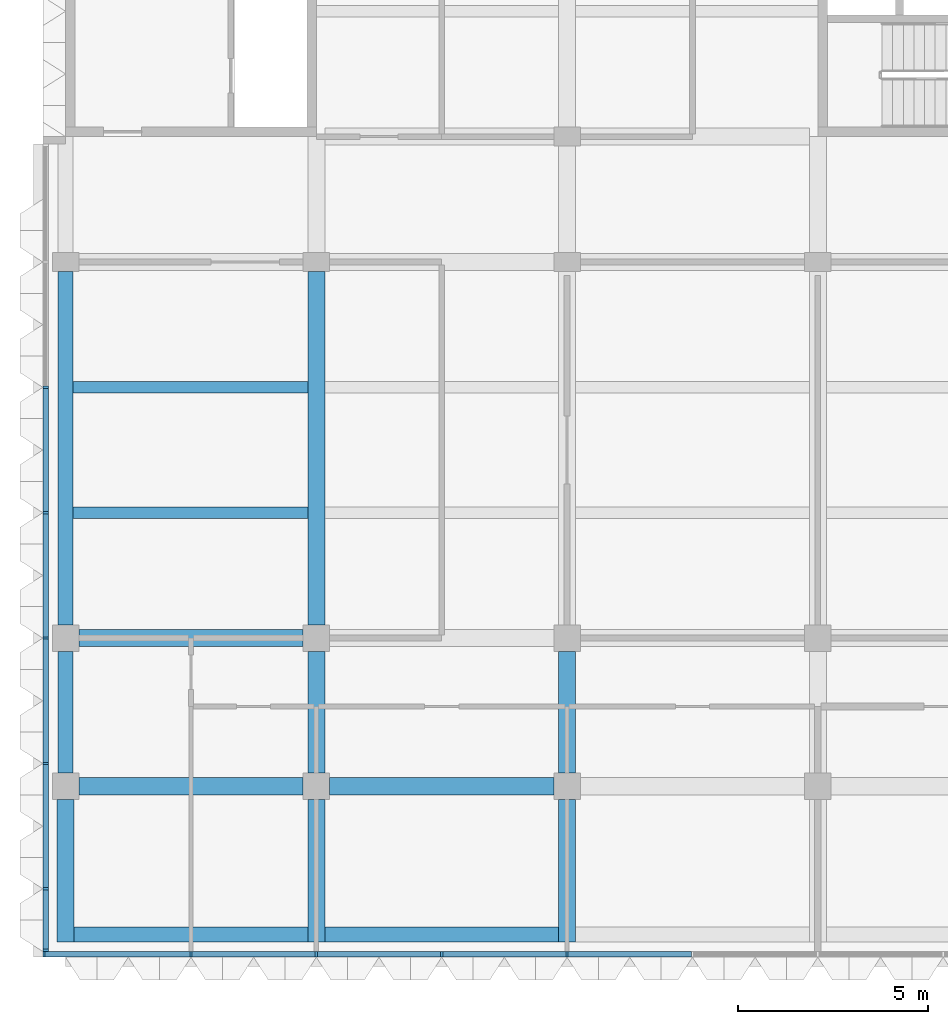
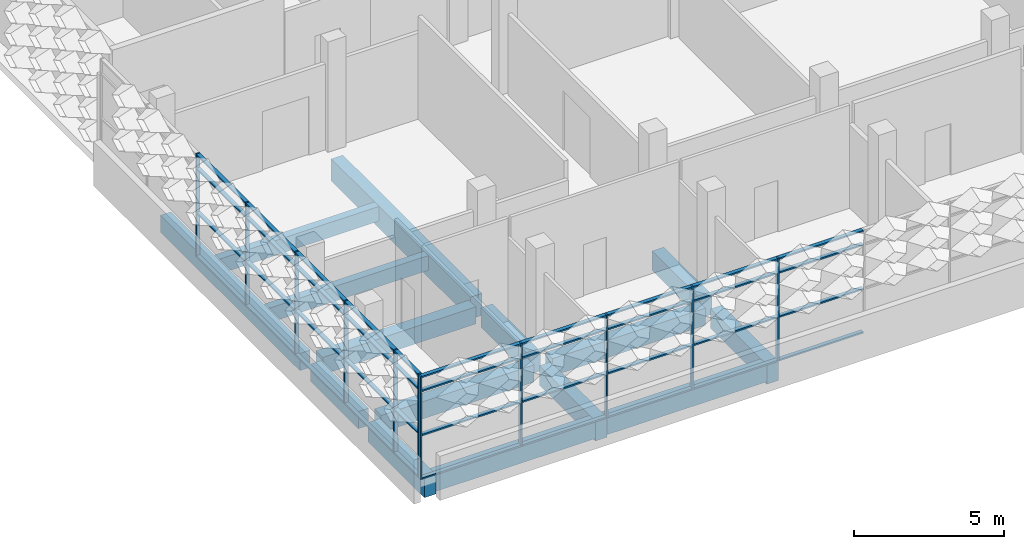
# One storey, part 2 of 85: 51 members, 15 beams, 2 elements without a shape of their own.
"""IFC4 building model written with IfcOpenShell, lengths in metres."""

from ifc_helpers import new_model, si_unit, direction, frame, origin, origin_2d, place, context, subcontext, project, spatial, rectangle, extrude, material, material_profile, profile_set, type_object, element, aggregate, save


model = new_model("IFC4")

# Units and contexts
model_context = context("Model", 3, precision=1e-05, world=origin(), true_north=direction((0.0, 1.0)))
body_context = subcontext(model_context, "Body", "Model", "MODEL_VIEW")
ifc_project = project(units=[si_unit("LENGTHUNIT", "METRE"), si_unit("AREAUNIT", "SQUARE_METRE"), si_unit("VOLUMEUNIT", "CUBIC_METRE"), si_unit("PLANEANGLEUNIT", "RADIAN"), si_unit("MASSUNIT", "GRAM", prefix="KILO")], contexts=[model_context])

# Site, building, storey
site_placement = place(None, origin())
site = spatial("IfcSite", under=ifc_project, at=site_placement, CompositionType="ELEMENT")
building_placement = place(site_placement, origin())
building = spatial("IfcBuilding", under=site, at=building_placement, Name="Lantern Court Research Institute", CompositionType="ELEMENT")
storey_placement = place(building_placement, frame((0.0, 0.0, 18.89990234375)))
storey = spatial("IfcBuildingStorey", under=building, at=storey_placement, Name="L04", CompositionType="ELEMENT", Elevation=18.89990234375)

# Curtain wall, members
ifc_material_1 = material(Name="Aluminium alloy 6063-T6", Category="aluminium")
curtain_wall_type_1 = type_object("IfcCurtainWallType", Name="Curtain wall 53400 x 4200 x 150 aluminium frame", PredefinedType="NOTDEFINED", material=ifc_material_1)
curtain_wall_1_placement = place(storey_placement, origin())
curtain_wall_1 = element("IfcCurtainWall", 1, at=curtain_wall_1_placement, inside=storey, type_object=curtain_wall_type_1, Name="Curtain wall CW063", PredefinedType="NOTDEFINED")
ifc_material_2 = material(Name="Aluminium alloy 6063-T6", Category="aluminium")
ifc_material_profile_1 = material_profile(ifc_material_2, rectangle(XDim=0.14990234375, YDim=0.06005859375, at=origin_2d()), Name="Mullion 150 x 60")
ifc_profile_set_1 = profile_set([ifc_material_profile_1], Name="Aluminium alloy 6063-T6")
member_type_1 = type_object("IfcMemberType", Name="Mullion 150 x 60 aluminium", PredefinedType="MULLION", material=ifc_profile_set_1)
member_1_placement = place(storey_placement, frame((-0.570068359375, -8.324951171875, 0.0), z_axis=(0.0, 0.0, 1.0), x_axis=(0.0, -1.0, 0.0)))
member_1 = element("IfcMember", 2, at=member_1_placement, type_object=member_type_1, Name="CW063 mullion 1", PredefinedType="MULLION", context=body_context, shape_type="SweptSolid", body=[
    extrude(rectangle(XDim=0.14990234375, YDim=0.06005859375, at=origin_2d()), origin(), (0.0, 0.0, 1.0), 4.2001953125),
])
member_2_placement = place(storey_placement, frame((3.300048828125, -8.324951171875, 0.0), z_axis=(0.0, 0.0, 1.0), x_axis=(0.0, -1.0, 0.0)))
member_2 = element("IfcMember", 3, at=member_2_placement, type_object=member_type_1, Name="CW063 mullion 2", PredefinedType="MULLION", context=body_context, shape_type="SweptSolid", body=[
    extrude(rectangle(XDim=0.14990234375, YDim=0.06005859375, at=origin_2d()), origin(), (0.0, 0.0, 1.0), 4.2001953125),
])
member_3_placement = place(storey_placement, frame((6.60009765625, -8.324951171875, 0.0), z_axis=(0.0, 0.0, 1.0), x_axis=(0.0, -1.0, 0.0)))
member_3 = element("IfcMember", 4, at=member_3_placement, type_object=member_type_1, Name="CW063 mullion 3", PredefinedType="MULLION", context=body_context, shape_type="SweptSolid", body=[
    extrude(rectangle(XDim=0.14990234375, YDim=0.06005859375, at=origin_2d()), origin(), (0.0, 0.0, 1.0), 4.2001953125),
])
member_4_placement = place(storey_placement, frame((9.89990234375, -8.324951171875, 0.0), z_axis=(0.0, 0.0, 1.0), x_axis=(0.0, -1.0, 0.0)))
member_4 = element("IfcMember", 5, at=member_4_placement, type_object=member_type_1, Name="CW063 mullion 4", PredefinedType="MULLION", context=body_context, shape_type="SweptSolid", body=[
    extrude(rectangle(XDim=0.14990234375, YDim=0.06005859375, at=origin_2d()), origin(), (0.0, 0.0, 1.0), 4.2001953125),
])
member_5_placement = place(storey_placement, frame((13.199951171875, -8.324951171875, 0.0), z_axis=(0.0, 0.0, 1.0), x_axis=(0.0, -1.0, 0.0)))
member_5 = element("IfcMember", 6, at=member_5_placement, type_object=member_type_1, Name="CW063 mullion 5", PredefinedType="MULLION", context=body_context, shape_type="SweptSolid", body=[
    extrude(rectangle(XDim=0.14990234375, YDim=0.06005859375, at=origin_2d()), origin(), (0.0, 0.0, 1.0), 4.2001953125),
])

ifc_material_3 = material(Name="Aluminium alloy 6063-T6", Category="aluminium")
curtain_wall_type_2 = type_object("IfcCurtainWallType", Name="Curtain wall 21250 x 4200 x 150 aluminium frame", PredefinedType="NOTDEFINED", material=ifc_material_3)
curtain_wall_2_placement = place(storey_placement, origin())
curtain_wall_2 = element("IfcCurtainWall", 7, at=curtain_wall_2_placement, inside=storey, type_object=curtain_wall_type_2, Name="Curtain wall CW064", PredefinedType="NOTDEFINED")
member_6_placement = place(storey_placement, frame((-0.52490234375, -8.219970703125, 0.0), z_axis=(0.0, 0.0, 1.0), x_axis=(-1.0, 0.0, 0.0)))
member_6 = element("IfcMember", 8, at=member_6_placement, type_object=member_type_1, Name="CW064 mullion 1", PredefinedType="MULLION", context=body_context, shape_type="SweptSolid", body=[
    extrude(rectangle(XDim=0.14990234375, YDim=0.06005859375, at=origin_2d()), origin(), (0.0, 0.0, 1.0), 4.2001953125),
])
member_7_placement = place(storey_placement, frame((-0.52490234375, -6.60009765625, 0.0), z_axis=(0.0, 0.0, 1.0), x_axis=(-1.0, 0.0, 0.0)))
member_7 = element("IfcMember", 9, at=member_7_placement, type_object=member_type_1, Name="CW064 mullion 2", PredefinedType="MULLION", context=body_context, shape_type="SweptSolid", body=[
    extrude(rectangle(XDim=0.14990234375, YDim=0.06005859375, at=origin_2d()), origin(), (0.0, 0.0, 1.0), 4.2001953125),
])
member_8_placement = place(storey_placement, frame((-0.52490234375, -3.300048828125, 0.0), z_axis=(0.0, 0.0, 1.0), x_axis=(-1.0, 0.0, 0.0)))
member_8 = element("IfcMember", 10, at=member_8_placement, type_object=member_type_1, Name="CW064 mullion 3", PredefinedType="MULLION", context=body_context, shape_type="SweptSolid", body=[
    extrude(rectangle(XDim=0.14990234375, YDim=0.06005859375, at=origin_2d()), origin(), (0.0, 0.0, 1.0), 4.2001953125),
])
member_9_placement = place(storey_placement, frame((-0.52490234375, 0.0, 0.0), z_axis=(0.0, 0.0, 1.0), x_axis=(-1.0, 0.0, 0.0)))
member_9 = element("IfcMember", 11, at=member_9_placement, type_object=member_type_1, Name="CW064 mullion 4", PredefinedType="MULLION", context=body_context, shape_type="SweptSolid", body=[
    extrude(rectangle(XDim=0.14990234375, YDim=0.06005859375, at=origin_2d()), origin(), (0.0, 0.0, 1.0), 4.2001953125),
])
member_10_placement = place(storey_placement, frame((-0.52490234375, 3.300048828125, 0.0), z_axis=(0.0, 0.0, 1.0), x_axis=(-1.0, 0.0, 0.0)))
member_10 = element("IfcMember", 12, at=member_10_placement, type_object=member_type_1, Name="CW064 mullion 5", PredefinedType="MULLION", context=body_context, shape_type="SweptSolid", body=[
    extrude(rectangle(XDim=0.14990234375, YDim=0.06005859375, at=origin_2d()), origin(), (0.0, 0.0, 1.0), 4.2001953125),
])
member_11_placement = place(storey_placement, frame((-0.52490234375, 6.60009765625, 0.0), z_axis=(0.0, 0.0, 1.0), x_axis=(-1.0, 0.0, 0.0)))
member_11 = element("IfcMember", 13, at=member_11_placement, type_object=member_type_1, Name="CW064 mullion 6", PredefinedType="MULLION", context=body_context, shape_type="SweptSolid", body=[
    extrude(rectangle(XDim=0.14990234375, YDim=0.06005859375, at=origin_2d()), origin(), (0.0, 0.0, 1.0), 4.2001953125),
])

# Beams
ifc_material_4 = material(Name="Concrete C40/50", Category="concrete")
ifc_material_profile_2 = material_profile(ifc_material_4, rectangle(XDim=0.449951171875, YDim=0.699951171875, at=origin_2d()), Name="RC beam 450 x 700")
ifc_profile_set_2 = profile_set([ifc_material_profile_2], Name="Concrete C40/50")
beam_type_1 = type_object("IfcBeamType", Name="RC beam 450 x 700", PredefinedType="BEAM", material=ifc_profile_set_2)
beam_1_placement = place(storey_placement, frame((0.35009765625, -3.89990234375, -0.64990234375), z_axis=(1.0, 0.0, 0.0), x_axis=(0.0, 1.0, 0.0)))
element("IfcBeam", 14, at=beam_1_placement, inside=storey, type_object=beam_type_1, Name="Beam L04 grid Y/1-2", PredefinedType="BEAM", context=body_context, shape_type="SweptSolid", body=[
    extrude(rectangle(XDim=0.449951171875, YDim=0.699951171875, at=origin_2d()), origin(), (0.0, 0.0, 1.0), 5.89990234375),
])
beam_2_placement = place(storey_placement, frame((6.949951171875, -3.89990234375, -0.64990234375), z_axis=(1.0, 0.0, 0.0), x_axis=(0.0, 1.0, 0.0)))
element("IfcBeam", 15, at=beam_2_placement, inside=storey, type_object=beam_type_1, Name="Beam L04 grid Y/2-3", PredefinedType="BEAM", context=body_context, shape_type="SweptSolid", body=[
    extrude(rectangle(XDim=0.449951171875, YDim=0.699951171875, at=origin_2d()), origin(), (0.0, 0.0, 1.0), 5.900146484375),
])
beam_3_placement = place(storey_placement, frame((0.35009765625, 0.0, -0.64990234375), z_axis=(1.0, 0.0, 0.0), x_axis=(0.0, 1.0, 0.0)))
element("IfcBeam", 16, at=beam_3_placement, inside=storey, type_object=beam_type_1, Name="Beam L04 grid A/1-2", PredefinedType="BEAM", context=body_context, shape_type="SweptSolid", body=[
    extrude(rectangle(XDim=0.449951171875, YDim=0.699951171875, at=origin_2d()), origin(), (0.0, 0.0, 1.0), 5.89990234375),
])
ifc_material_5 = material(Name="Concrete C40/50", Category="concrete")
ifc_material_profile_3 = material_profile(ifc_material_5, rectangle(XDim=0.449951171875, YDim=0.800048828125, at=origin_2d()), Name="RC beam 450 x 800")
ifc_profile_set_3 = profile_set([ifc_material_profile_3], Name="Concrete C40/50")
beam_type_2 = type_object("IfcBeamType", Name="RC cantilever beam 450 x 800", PredefinedType="BEAM", material=ifc_profile_set_3)
for number, where, z_axis, x_axis, name in (
    (17, (0.0, -4.25, -0.699951171875), (0.0, -1.0, 0.0), (1.0, 0.0, 0.0), "Cantilever beam L04 grid 1/Y-tip"),
    (18, (6.60009765625, -4.25, -0.699951171875), (0.0, -1.0, 0.0), (1.0, 0.0, 0.0), "Cantilever beam L04 grid 2/Y-tip"),
    (19, (13.199951171875, -4.25, -0.699951171875), (0.0, -1.0, 0.0), (1.0, 0.0, 0.0), "Cantilever beam L04 grid 3/Y-tip"),
):
    element("IfcBeam", number, at=place(storey_placement, frame(where, z_axis=z_axis, x_axis=x_axis)), inside=storey, type_object=beam_type_2, Name=name, PredefinedType="BEAM", context=body_context, shape_type="SweptSolid", body=[
        extrude(rectangle(XDim=0.449951171875, YDim=0.800048828125, at=origin_2d()), origin(), (0.0, 0.0, 1.0), 3.75),
    ])
ifc_material_6 = material(Name="Concrete C40/50", Category="concrete")
ifc_material_profile_4 = material_profile(ifc_material_6, rectangle(XDim=0.39990234375, YDim=0.699951171875, at=origin_2d()), Name="RC beam 400 x 700")
ifc_profile_set_4 = profile_set([ifc_material_profile_4], Name="Concrete C40/50")
beam_type_3 = type_object("IfcBeamType", Name="RC edge beam 400 x 700", PredefinedType="BEAM", material=ifc_profile_set_4)
beam_4_placement = place(storey_placement, frame((0.0, -3.550048828125, -0.64990234375), z_axis=(0.0, 1.0, 0.0), x_axis=(-1.0, 0.0, 0.0)))
element("IfcBeam", 20, at=beam_4_placement, inside=storey, type_object=beam_type_3, Name="Edge beam L04 grid 1/Y-A", PredefinedType="BEAM", context=body_context, shape_type="SweptSolid", body=[
    extrude(rectangle(XDim=0.39990234375, YDim=0.699951171875, at=origin_2d()), origin(), (0.0, 0.0, 1.0), 3.199951171875),
])
beam_5_placement = place(storey_placement, frame((0.0, 0.35009765625, -0.64990234375), z_axis=(0.0, 1.0, 0.0), x_axis=(-1.0, 0.0, 0.0)))
element("IfcBeam", 21, at=beam_5_placement, inside=storey, type_object=beam_type_3, Name="Edge beam L04 grid 1/A-B", PredefinedType="BEAM", context=body_context, shape_type="SweptSolid", body=[
    extrude(rectangle(XDim=0.39990234375, YDim=0.699951171875, at=origin_2d()), origin(), (0.0, 0.0, 1.0), 9.2998046875),
])
beam_6_placement = place(storey_placement, frame((0.22509765625, -7.800048828125, -0.64990234375), z_axis=(1.0, 0.0, 0.0), x_axis=(0.0, 1.0, 0.0)))
element("IfcBeam", 22, at=beam_6_placement, inside=storey, type_object=beam_type_3, Name="Edge beam L04 grid tip/1-2", PredefinedType="BEAM", context=body_context, shape_type="SweptSolid", body=[
    extrude(rectangle(XDim=0.39990234375, YDim=0.699951171875, at=origin_2d()), origin(), (0.0, 0.0, 1.0), 6.14990234375),
])
beam_7_placement = place(storey_placement, frame((6.824951171875, -7.800048828125, -0.64990234375), z_axis=(1.0, 0.0, 0.0), x_axis=(0.0, 1.0, 0.0)))
element("IfcBeam", 23, at=beam_7_placement, inside=storey, type_object=beam_type_3, Name="Edge beam L04 grid tip/2-3", PredefinedType="BEAM", context=body_context, shape_type="SweptSolid", body=[
    extrude(rectangle(XDim=0.39990234375, YDim=0.699951171875, at=origin_2d()), origin(), (0.0, 0.0, 1.0), 6.150146484375),
])
ifc_material_7 = material(Name="Concrete C40/50", Category="concrete")
ifc_material_profile_5 = material_profile(ifc_material_7, rectangle(XDim=0.449951171875, YDim=0.800048828125, at=origin_2d()), Name="RC beam 450 x 800")
ifc_profile_set_5 = profile_set([ifc_material_profile_5], Name="Concrete C40/50")
beam_type_4 = type_object("IfcBeamType", Name="RC girder 450 x 800", PredefinedType="BEAM", material=ifc_profile_set_5)
for number, where, z_axis, x_axis, name in (
    (24, (6.60009765625, -3.550048828125, -0.699951171875), (0.0, 1.0, 0.0), (-1.0, 0.0, 0.0), "Girder L04 grid 2/Y-A"),
    (25, (13.199951171875, -3.550048828125, -0.699951171875), (0.0, 1.0, 0.0), (-1.0, 0.0, 0.0), "Girder L04 grid 3/Y-A"),
):
    element("IfcBeam", number, at=place(storey_placement, frame(where, z_axis=z_axis, x_axis=x_axis)), inside=storey, type_object=beam_type_4, Name=name, PredefinedType="BEAM", context=body_context, shape_type="SweptSolid", body=[
        extrude(rectangle(XDim=0.449951171875, YDim=0.800048828125, at=origin_2d()), origin(), (0.0, 0.0, 1.0), 3.199951171875),
    ])
ifc_material_8 = material(Name="Concrete C40/50", Category="concrete")
ifc_material_profile_6 = material_profile(ifc_material_8, rectangle(XDim=0.449951171875, YDim=0.89990234375, at=origin_2d()), Name="RC beam 450 x 900")
ifc_profile_set_6 = profile_set([ifc_material_profile_6], Name="Concrete C40/50")
beam_type_5 = type_object("IfcBeamType", Name="RC girder 450 x 900", PredefinedType="BEAM", material=ifc_profile_set_6)
beam_8_placement = place(storey_placement, frame((6.60009765625, 0.35009765625, -0.75), z_axis=(0.0, 1.0, 0.0), x_axis=(-1.0, 0.0, 0.0)))
element("IfcBeam", 26, at=beam_8_placement, inside=storey, type_object=beam_type_5, Name="Girder L04 grid 2/A-B", PredefinedType="BEAM", context=body_context, shape_type="SweptSolid", body=[
    extrude(rectangle(XDim=0.449951171875, YDim=0.89990234375, at=origin_2d()), origin(), (0.0, 0.0, 1.0), 9.2998046875),
])
ifc_material_9 = material(Name="Concrete C40/50", Category="concrete")
ifc_material_profile_7 = material_profile(ifc_material_9, rectangle(XDim=0.300048828125, YDim=0.60009765625, at=origin_2d()), Name="RC beam 300 x 600")
ifc_profile_set_7 = profile_set([ifc_material_profile_7], Name="Concrete C40/50")
beam_type_6 = type_object("IfcBeamType", Name="RC secondary beam 300 x 600", PredefinedType="BEAM", material=ifc_profile_set_7)
for number, where, z_axis, x_axis, name in (
    (27, (0.199951171875, 3.300048828125, -0.599853515625), (1.0, 0.0, 0.0), (0.0, 1.0, 0.0), "Secondary beam L04 grids 1-2 / A-B, line 1"),
    (28, (0.199951171875, 6.60009765625, -0.599853515625), (1.0, 0.0, 0.0), (0.0, 1.0, 0.0), "Secondary beam L04 grids 1-2 / A-B, line 2"),
):
    element("IfcBeam", number, at=place(storey_placement, frame(where, z_axis=z_axis, x_axis=x_axis)), inside=storey, type_object=beam_type_6, Name=name, PredefinedType="BEAM", context=body_context, shape_type="SweptSolid", body=[
        extrude(rectangle(XDim=0.300048828125, YDim=0.60009765625, at=origin_2d()), origin(), (0.0, 0.0, 1.0), 6.175048828125),
    ])

# Member
ifc_material_10 = material(Name="Aluminium alloy 6063-T6", Category="aluminium")
ifc_material_profile_8 = material_profile(ifc_material_10, rectangle(XDim=0.14990234375, YDim=0.06005859375, at=origin_2d()), Name="Transom 150 x 60")
ifc_profile_set_8 = profile_set([ifc_material_profile_8], Name="Aluminium alloy 6063-T6")
member_type_2 = type_object("IfcMemberType", Name="Transom 150 x 60 aluminium", PredefinedType="USERDEFINED", material=ifc_profile_set_8)
member_12_placement = place(storey_placement, frame((3.27001953125, -8.324951171875, 0.030029296875), z_axis=(-1.0, 0.0, 0.0), x_axis=(0.0, -1.0, 0.0)))
member_12 = element("IfcMember", 29, at=member_12_placement, type_object=member_type_2, Name="CW063 transom 1.1", ObjectType="TRANSOM", PredefinedType="USERDEFINED", context=body_context, shape_type="SweptSolid", body=[
    extrude(rectangle(XDim=0.14990234375, YDim=0.06005859375, at=origin_2d()), origin(), (0.0, 0.0, 1.0), 3.81005859375),
])

member_13_placement = place(storey_placement, frame((3.27001953125, -8.324951171875, 1.800048828125), z_axis=(-1.0, 0.0, 0.0), x_axis=(0.0, -1.0, 0.0)))
member_13 = element("IfcMember", 30, at=member_13_placement, type_object=member_type_2, Name="CW063 transom 1.2", ObjectType="TRANSOM", PredefinedType="USERDEFINED", context=body_context, shape_type="SweptSolid", body=[
    extrude(rectangle(XDim=0.14990234375, YDim=0.06005859375, at=origin_2d()), origin(), (0.0, 0.0, 1.0), 3.81005859375),
])

member_14_placement = place(storey_placement, frame((3.27001953125, -8.324951171875, 3.60009765625), z_axis=(-1.0, 0.0, 0.0), x_axis=(0.0, -1.0, 0.0)))
member_14 = element("IfcMember", 31, at=member_14_placement, type_object=member_type_2, Name="CW063 transom 1.3", ObjectType="TRANSOM", PredefinedType="USERDEFINED", context=body_context, shape_type="SweptSolid", body=[
    extrude(rectangle(XDim=0.14990234375, YDim=0.06005859375, at=origin_2d()), origin(), (0.0, 0.0, 1.0), 3.81005859375),
])

member_15_placement = place(storey_placement, frame((3.27001953125, -8.324951171875, 4.170166015625), z_axis=(-1.0, 0.0, 0.0), x_axis=(0.0, -1.0, 0.0)))
member_15 = element("IfcMember", 32, at=member_15_placement, type_object=member_type_2, Name="CW063 transom 1.4", ObjectType="TRANSOM", PredefinedType="USERDEFINED", context=body_context, shape_type="SweptSolid", body=[
    extrude(rectangle(XDim=0.14990234375, YDim=0.06005859375, at=origin_2d()), origin(), (0.0, 0.0, 1.0), 3.81005859375),
])

member_16_placement = place(storey_placement, frame((6.570068359375, -8.324951171875, 0.030029296875), z_axis=(-1.0, 0.0, 0.0), x_axis=(0.0, -1.0, 0.0)))
member_16 = element("IfcMember", 33, at=member_16_placement, type_object=member_type_2, Name="CW063 transom 2.1", ObjectType="TRANSOM", PredefinedType="USERDEFINED", context=body_context, shape_type="SweptSolid", body=[
    extrude(rectangle(XDim=0.14990234375, YDim=0.06005859375, at=origin_2d()), origin(), (0.0, 0.0, 1.0), 3.239990234375),
])

member_17_placement = place(storey_placement, frame((6.570068359375, -8.324951171875, 1.800048828125), z_axis=(-1.0, 0.0, 0.0), x_axis=(0.0, -1.0, 0.0)))
member_17 = element("IfcMember", 34, at=member_17_placement, type_object=member_type_2, Name="CW063 transom 2.2", ObjectType="TRANSOM", PredefinedType="USERDEFINED", context=body_context, shape_type="SweptSolid", body=[
    extrude(rectangle(XDim=0.14990234375, YDim=0.06005859375, at=origin_2d()), origin(), (0.0, 0.0, 1.0), 3.239990234375),
])

member_18_placement = place(storey_placement, frame((6.570068359375, -8.324951171875, 3.60009765625), z_axis=(-1.0, 0.0, 0.0), x_axis=(0.0, -1.0, 0.0)))
member_18 = element("IfcMember", 35, at=member_18_placement, type_object=member_type_2, Name="CW063 transom 2.3", ObjectType="TRANSOM", PredefinedType="USERDEFINED", context=body_context, shape_type="SweptSolid", body=[
    extrude(rectangle(XDim=0.14990234375, YDim=0.06005859375, at=origin_2d()), origin(), (0.0, 0.0, 1.0), 3.239990234375),
])

member_19_placement = place(storey_placement, frame((6.570068359375, -8.324951171875, 4.170166015625), z_axis=(-1.0, 0.0, 0.0), x_axis=(0.0, -1.0, 0.0)))
member_19 = element("IfcMember", 36, at=member_19_placement, type_object=member_type_2, Name="CW063 transom 2.4", ObjectType="TRANSOM", PredefinedType="USERDEFINED", context=body_context, shape_type="SweptSolid", body=[
    extrude(rectangle(XDim=0.14990234375, YDim=0.06005859375, at=origin_2d()), origin(), (0.0, 0.0, 1.0), 3.239990234375),
])

member_20_placement = place(storey_placement, frame((9.8701171875, -8.324951171875, 0.030029296875), z_axis=(-1.0, 0.0, 0.0), x_axis=(0.0, -1.0, 0.0)))
member_20 = element("IfcMember", 37, at=member_20_placement, type_object=member_type_2, Name="CW063 transom 3.1", ObjectType="TRANSOM", PredefinedType="USERDEFINED", context=body_context, shape_type="SweptSolid", body=[
    extrude(rectangle(XDim=0.14990234375, YDim=0.06005859375, at=origin_2d()), origin(), (0.0, 0.0, 1.0), 3.240234375),
])

member_21_placement = place(storey_placement, frame((9.8701171875, -8.324951171875, 1.800048828125), z_axis=(-1.0, 0.0, 0.0), x_axis=(0.0, -1.0, 0.0)))
member_21 = element("IfcMember", 38, at=member_21_placement, type_object=member_type_2, Name="CW063 transom 3.2", ObjectType="TRANSOM", PredefinedType="USERDEFINED", context=body_context, shape_type="SweptSolid", body=[
    extrude(rectangle(XDim=0.14990234375, YDim=0.06005859375, at=origin_2d()), origin(), (0.0, 0.0, 1.0), 3.240234375),
])

member_22_placement = place(storey_placement, frame((9.8701171875, -8.324951171875, 3.60009765625), z_axis=(-1.0, 0.0, 0.0), x_axis=(0.0, -1.0, 0.0)))
member_22 = element("IfcMember", 39, at=member_22_placement, type_object=member_type_2, Name="CW063 transom 3.3", ObjectType="TRANSOM", PredefinedType="USERDEFINED", context=body_context, shape_type="SweptSolid", body=[
    extrude(rectangle(XDim=0.14990234375, YDim=0.06005859375, at=origin_2d()), origin(), (0.0, 0.0, 1.0), 3.240234375),
])

member_23_placement = place(storey_placement, frame((9.8701171875, -8.324951171875, 4.170166015625), z_axis=(-1.0, 0.0, 0.0), x_axis=(0.0, -1.0, 0.0)))
member_23 = element("IfcMember", 40, at=member_23_placement, type_object=member_type_2, Name="CW063 transom 3.4", ObjectType="TRANSOM", PredefinedType="USERDEFINED", context=body_context, shape_type="SweptSolid", body=[
    extrude(rectangle(XDim=0.14990234375, YDim=0.06005859375, at=origin_2d()), origin(), (0.0, 0.0, 1.0), 3.240234375),
])

member_24_placement = place(storey_placement, frame((13.169921875, -8.324951171875, 0.030029296875), z_axis=(-1.0, 0.0, 0.0), x_axis=(0.0, -1.0, 0.0)))
member_24 = element("IfcMember", 41, at=member_24_placement, type_object=member_type_2, Name="CW063 transom 4.1", ObjectType="TRANSOM", PredefinedType="USERDEFINED", context=body_context, shape_type="SweptSolid", body=[
    extrude(rectangle(XDim=0.14990234375, YDim=0.06005859375, at=origin_2d()), origin(), (0.0, 0.0, 1.0), 3.239990234375),
])

member_25_placement = place(storey_placement, frame((13.169921875, -8.324951171875, 1.800048828125), z_axis=(-1.0, 0.0, 0.0), x_axis=(0.0, -1.0, 0.0)))
member_25 = element("IfcMember", 42, at=member_25_placement, type_object=member_type_2, Name="CW063 transom 4.2", ObjectType="TRANSOM", PredefinedType="USERDEFINED", context=body_context, shape_type="SweptSolid", body=[
    extrude(rectangle(XDim=0.14990234375, YDim=0.06005859375, at=origin_2d()), origin(), (0.0, 0.0, 1.0), 3.239990234375),
])

member_26_placement = place(storey_placement, frame((13.169921875, -8.324951171875, 3.60009765625), z_axis=(-1.0, 0.0, 0.0), x_axis=(0.0, -1.0, 0.0)))
member_26 = element("IfcMember", 43, at=member_26_placement, type_object=member_type_2, Name="CW063 transom 4.3", ObjectType="TRANSOM", PredefinedType="USERDEFINED", context=body_context, shape_type="SweptSolid", body=[
    extrude(rectangle(XDim=0.14990234375, YDim=0.06005859375, at=origin_2d()), origin(), (0.0, 0.0, 1.0), 3.239990234375),
])

member_27_placement = place(storey_placement, frame((13.169921875, -8.324951171875, 4.170166015625), z_axis=(-1.0, 0.0, 0.0), x_axis=(0.0, -1.0, 0.0)))
member_27 = element("IfcMember", 44, at=member_27_placement, type_object=member_type_2, Name="CW063 transom 4.4", ObjectType="TRANSOM", PredefinedType="USERDEFINED", context=body_context, shape_type="SweptSolid", body=[
    extrude(rectangle(XDim=0.14990234375, YDim=0.06005859375, at=origin_2d()), origin(), (0.0, 0.0, 1.0), 3.239990234375),
])

member_28_placement = place(storey_placement, frame((16.469970703125, -8.324951171875, 0.030029296875), z_axis=(-1.0, 0.0, 0.0), x_axis=(0.0, -1.0, 0.0)))
member_28 = element("IfcMember", 45, at=member_28_placement, type_object=member_type_2, Name="CW063 transom 5.1", ObjectType="TRANSOM", PredefinedType="USERDEFINED", context=body_context, shape_type="SweptSolid", body=[
    extrude(rectangle(XDim=0.14990234375, YDim=0.06005859375, at=origin_2d()), origin(), (0.0, 0.0, 1.0), 3.239990234375),
])

member_29_placement = place(storey_placement, frame((16.469970703125, -8.324951171875, 1.800048828125), z_axis=(-1.0, 0.0, 0.0), x_axis=(0.0, -1.0, 0.0)))
member_29 = element("IfcMember", 46, at=member_29_placement, type_object=member_type_2, Name="CW063 transom 5.2", ObjectType="TRANSOM", PredefinedType="USERDEFINED", context=body_context, shape_type="SweptSolid", body=[
    extrude(rectangle(XDim=0.14990234375, YDim=0.06005859375, at=origin_2d()), origin(), (0.0, 0.0, 1.0), 3.239990234375),
])

member_30_placement = place(storey_placement, frame((16.469970703125, -8.324951171875, 3.60009765625), z_axis=(-1.0, 0.0, 0.0), x_axis=(0.0, -1.0, 0.0)))
member_30 = element("IfcMember", 47, at=member_30_placement, type_object=member_type_2, Name="CW063 transom 5.3", ObjectType="TRANSOM", PredefinedType="USERDEFINED", context=body_context, shape_type="SweptSolid", body=[
    extrude(rectangle(XDim=0.14990234375, YDim=0.06005859375, at=origin_2d()), origin(), (0.0, 0.0, 1.0), 3.239990234375),
])

member_31_placement = place(storey_placement, frame((16.469970703125, -8.324951171875, 4.170166015625), z_axis=(-1.0, 0.0, 0.0), x_axis=(0.0, -1.0, 0.0)))
member_31 = element("IfcMember", 48, at=member_31_placement, type_object=member_type_2, Name="CW063 transom 5.4", ObjectType="TRANSOM", PredefinedType="USERDEFINED", context=body_context, shape_type="SweptSolid", body=[
    extrude(rectangle(XDim=0.14990234375, YDim=0.06005859375, at=origin_2d()), origin(), (0.0, 0.0, 1.0), 3.239990234375),
])

aggregate(curtain_wall_1, [member_1, member_2, member_3, member_4, member_5, member_12, member_13, member_14, member_15, member_16, member_17, member_18, member_19, member_20, member_21, member_22, member_23, member_24, member_25, member_26, member_27, member_28, member_29, member_30, member_31])

member_32_placement = place(storey_placement, frame((-0.52490234375, -8.18994140625, 0.030029296875), z_axis=(0.0, 1.0, 0.0), x_axis=(-1.0, 0.0, 0.0)))
member_32 = element("IfcMember", 49, at=member_32_placement, type_object=member_type_2, Name="CW064 transom 1.1", ObjectType="TRANSOM", PredefinedType="USERDEFINED", context=body_context, shape_type="SweptSolid", body=[
    extrude(rectangle(XDim=0.14990234375, YDim=0.06005859375, at=origin_2d()), origin(), (0.0, 0.0, 1.0), 1.56005859375),
])

member_33_placement = place(storey_placement, frame((-0.52490234375, -8.18994140625, 1.800048828125), z_axis=(0.0, 1.0, 0.0), x_axis=(-1.0, 0.0, 0.0)))
member_33 = element("IfcMember", 50, at=member_33_placement, type_object=member_type_2, Name="CW064 transom 1.2", ObjectType="TRANSOM", PredefinedType="USERDEFINED", context=body_context, shape_type="SweptSolid", body=[
    extrude(rectangle(XDim=0.14990234375, YDim=0.06005859375, at=origin_2d()), origin(), (0.0, 0.0, 1.0), 1.56005859375),
])

member_34_placement = place(storey_placement, frame((-0.52490234375, -8.18994140625, 3.60009765625), z_axis=(0.0, 1.0, 0.0), x_axis=(-1.0, 0.0, 0.0)))
member_34 = element("IfcMember", 51, at=member_34_placement, type_object=member_type_2, Name="CW064 transom 1.3", ObjectType="TRANSOM", PredefinedType="USERDEFINED", context=body_context, shape_type="SweptSolid", body=[
    extrude(rectangle(XDim=0.14990234375, YDim=0.06005859375, at=origin_2d()), origin(), (0.0, 0.0, 1.0), 1.56005859375),
])

member_35_placement = place(storey_placement, frame((-0.52490234375, -8.18994140625, 4.170166015625), z_axis=(0.0, 1.0, 0.0), x_axis=(-1.0, 0.0, 0.0)))
member_35 = element("IfcMember", 52, at=member_35_placement, type_object=member_type_2, Name="CW064 transom 1.4", ObjectType="TRANSOM", PredefinedType="USERDEFINED", context=body_context, shape_type="SweptSolid", body=[
    extrude(rectangle(XDim=0.14990234375, YDim=0.06005859375, at=origin_2d()), origin(), (0.0, 0.0, 1.0), 1.56005859375),
])

member_36_placement = place(storey_placement, frame((-0.52490234375, -6.570068359375, 0.030029296875), z_axis=(0.0, 1.0, 0.0), x_axis=(-1.0, 0.0, 0.0)))
member_36 = element("IfcMember", 53, at=member_36_placement, type_object=member_type_2, Name="CW064 transom 2.1", ObjectType="TRANSOM", PredefinedType="USERDEFINED", context=body_context, shape_type="SweptSolid", body=[
    extrude(rectangle(XDim=0.14990234375, YDim=0.06005859375, at=origin_2d()), origin(), (0.0, 0.0, 1.0), 3.239990234375),
])

member_37_placement = place(storey_placement, frame((-0.52490234375, -6.570068359375, 1.800048828125), z_axis=(0.0, 1.0, 0.0), x_axis=(-1.0, 0.0, 0.0)))
member_37 = element("IfcMember", 54, at=member_37_placement, type_object=member_type_2, Name="CW064 transom 2.2", ObjectType="TRANSOM", PredefinedType="USERDEFINED", context=body_context, shape_type="SweptSolid", body=[
    extrude(rectangle(XDim=0.14990234375, YDim=0.06005859375, at=origin_2d()), origin(), (0.0, 0.0, 1.0), 3.239990234375),
])

member_38_placement = place(storey_placement, frame((-0.52490234375, -6.570068359375, 3.60009765625), z_axis=(0.0, 1.0, 0.0), x_axis=(-1.0, 0.0, 0.0)))
member_38 = element("IfcMember", 55, at=member_38_placement, type_object=member_type_2, Name="CW064 transom 2.3", ObjectType="TRANSOM", PredefinedType="USERDEFINED", context=body_context, shape_type="SweptSolid", body=[
    extrude(rectangle(XDim=0.14990234375, YDim=0.06005859375, at=origin_2d()), origin(), (0.0, 0.0, 1.0), 3.239990234375),
])

member_39_placement = place(storey_placement, frame((-0.52490234375, -6.570068359375, 4.170166015625), z_axis=(0.0, 1.0, 0.0), x_axis=(-1.0, 0.0, 0.0)))
member_39 = element("IfcMember", 56, at=member_39_placement, type_object=member_type_2, Name="CW064 transom 2.4", ObjectType="TRANSOM", PredefinedType="USERDEFINED", context=body_context, shape_type="SweptSolid", body=[
    extrude(rectangle(XDim=0.14990234375, YDim=0.06005859375, at=origin_2d()), origin(), (0.0, 0.0, 1.0), 3.239990234375),
])

member_40_placement = place(storey_placement, frame((-0.52490234375, -3.27001953125, 0.030029296875), z_axis=(0.0, 1.0, 0.0), x_axis=(-1.0, 0.0, 0.0)))
member_40 = element("IfcMember", 57, at=member_40_placement, type_object=member_type_2, Name="CW064 transom 3.1", ObjectType="TRANSOM", PredefinedType="USERDEFINED", context=body_context, shape_type="SweptSolid", body=[
    extrude(rectangle(XDim=0.14990234375, YDim=0.06005859375, at=origin_2d()), origin(), (0.0, 0.0, 1.0), 3.239990234375),
])

member_41_placement = place(storey_placement, frame((-0.52490234375, -3.27001953125, 1.800048828125), z_axis=(0.0, 1.0, 0.0), x_axis=(-1.0, 0.0, 0.0)))
member_41 = element("IfcMember", 58, at=member_41_placement, type_object=member_type_2, Name="CW064 transom 3.2", ObjectType="TRANSOM", PredefinedType="USERDEFINED", context=body_context, shape_type="SweptSolid", body=[
    extrude(rectangle(XDim=0.14990234375, YDim=0.06005859375, at=origin_2d()), origin(), (0.0, 0.0, 1.0), 3.239990234375),
])

member_42_placement = place(storey_placement, frame((-0.52490234375, -3.27001953125, 3.60009765625), z_axis=(0.0, 1.0, 0.0), x_axis=(-1.0, 0.0, 0.0)))
member_42 = element("IfcMember", 59, at=member_42_placement, type_object=member_type_2, Name="CW064 transom 3.3", ObjectType="TRANSOM", PredefinedType="USERDEFINED", context=body_context, shape_type="SweptSolid", body=[
    extrude(rectangle(XDim=0.14990234375, YDim=0.06005859375, at=origin_2d()), origin(), (0.0, 0.0, 1.0), 3.239990234375),
])

member_43_placement = place(storey_placement, frame((-0.52490234375, -3.27001953125, 4.170166015625), z_axis=(0.0, 1.0, 0.0), x_axis=(-1.0, 0.0, 0.0)))
member_43 = element("IfcMember", 60, at=member_43_placement, type_object=member_type_2, Name="CW064 transom 3.4", ObjectType="TRANSOM", PredefinedType="USERDEFINED", context=body_context, shape_type="SweptSolid", body=[
    extrude(rectangle(XDim=0.14990234375, YDim=0.06005859375, at=origin_2d()), origin(), (0.0, 0.0, 1.0), 3.239990234375),
])

member_44_placement = place(storey_placement, frame((-0.52490234375, 0.030029296875, 0.030029296875), z_axis=(0.0, 1.0, 0.0), x_axis=(-1.0, 0.0, 0.0)))
member_44 = element("IfcMember", 61, at=member_44_placement, type_object=member_type_2, Name="CW064 transom 4.1", ObjectType="TRANSOM", PredefinedType="USERDEFINED", context=body_context, shape_type="SweptSolid", body=[
    extrude(rectangle(XDim=0.14990234375, YDim=0.06005859375, at=origin_2d()), origin(), (0.0, 0.0, 1.0), 3.239990234375),
])

member_45_placement = place(storey_placement, frame((-0.52490234375, 0.030029296875, 1.800048828125), z_axis=(0.0, 1.0, 0.0), x_axis=(-1.0, 0.0, 0.0)))
member_45 = element("IfcMember", 62, at=member_45_placement, type_object=member_type_2, Name="CW064 transom 4.2", ObjectType="TRANSOM", PredefinedType="USERDEFINED", context=body_context, shape_type="SweptSolid", body=[
    extrude(rectangle(XDim=0.14990234375, YDim=0.06005859375, at=origin_2d()), origin(), (0.0, 0.0, 1.0), 3.239990234375),
])

member_46_placement = place(storey_placement, frame((-0.52490234375, 0.030029296875, 3.60009765625), z_axis=(0.0, 1.0, 0.0), x_axis=(-1.0, 0.0, 0.0)))
member_46 = element("IfcMember", 63, at=member_46_placement, type_object=member_type_2, Name="CW064 transom 4.3", ObjectType="TRANSOM", PredefinedType="USERDEFINED", context=body_context, shape_type="SweptSolid", body=[
    extrude(rectangle(XDim=0.14990234375, YDim=0.06005859375, at=origin_2d()), origin(), (0.0, 0.0, 1.0), 3.239990234375),
])

member_47_placement = place(storey_placement, frame((-0.52490234375, 0.030029296875, 4.170166015625), z_axis=(0.0, 1.0, 0.0), x_axis=(-1.0, 0.0, 0.0)))
member_47 = element("IfcMember", 64, at=member_47_placement, type_object=member_type_2, Name="CW064 transom 4.4", ObjectType="TRANSOM", PredefinedType="USERDEFINED", context=body_context, shape_type="SweptSolid", body=[
    extrude(rectangle(XDim=0.14990234375, YDim=0.06005859375, at=origin_2d()), origin(), (0.0, 0.0, 1.0), 3.239990234375),
])

member_48_placement = place(storey_placement, frame((-0.52490234375, 3.330078125, 0.030029296875), z_axis=(0.0, 1.0, 0.0), x_axis=(-1.0, 0.0, 0.0)))
member_48 = element("IfcMember", 65, at=member_48_placement, type_object=member_type_2, Name="CW064 transom 5.1", ObjectType="TRANSOM", PredefinedType="USERDEFINED", context=body_context, shape_type="SweptSolid", body=[
    extrude(rectangle(XDim=0.14990234375, YDim=0.06005859375, at=origin_2d()), origin(), (0.0, 0.0, 1.0), 3.239990234375),
])

member_49_placement = place(storey_placement, frame((-0.52490234375, 3.330078125, 1.800048828125), z_axis=(0.0, 1.0, 0.0), x_axis=(-1.0, 0.0, 0.0)))
member_49 = element("IfcMember", 66, at=member_49_placement, type_object=member_type_2, Name="CW064 transom 5.2", ObjectType="TRANSOM", PredefinedType="USERDEFINED", context=body_context, shape_type="SweptSolid", body=[
    extrude(rectangle(XDim=0.14990234375, YDim=0.06005859375, at=origin_2d()), origin(), (0.0, 0.0, 1.0), 3.239990234375),
])

member_50_placement = place(storey_placement, frame((-0.52490234375, 3.330078125, 3.60009765625), z_axis=(0.0, 1.0, 0.0), x_axis=(-1.0, 0.0, 0.0)))
member_50 = element("IfcMember", 67, at=member_50_placement, type_object=member_type_2, Name="CW064 transom 5.3", ObjectType="TRANSOM", PredefinedType="USERDEFINED", context=body_context, shape_type="SweptSolid", body=[
    extrude(rectangle(XDim=0.14990234375, YDim=0.06005859375, at=origin_2d()), origin(), (0.0, 0.0, 1.0), 3.239990234375),
])

member_51_placement = place(storey_placement, frame((-0.52490234375, 3.330078125, 4.170166015625), z_axis=(0.0, 1.0, 0.0), x_axis=(-1.0, 0.0, 0.0)))
member_51 = element("IfcMember", 68, at=member_51_placement, type_object=member_type_2, Name="CW064 transom 5.4", ObjectType="TRANSOM", PredefinedType="USERDEFINED", context=body_context, shape_type="SweptSolid", body=[
    extrude(rectangle(XDim=0.14990234375, YDim=0.06005859375, at=origin_2d()), origin(), (0.0, 0.0, 1.0), 3.239990234375),
])

aggregate(curtain_wall_2, [member_6, member_7, member_8, member_9, member_10, member_11, member_32, member_33, member_34, member_35, member_36, member_37, member_38, member_39, member_40, member_41, member_42, member_43, member_44, member_45, member_46, member_47, member_48, member_49, member_50, member_51])

save(model, "model.ifc")
